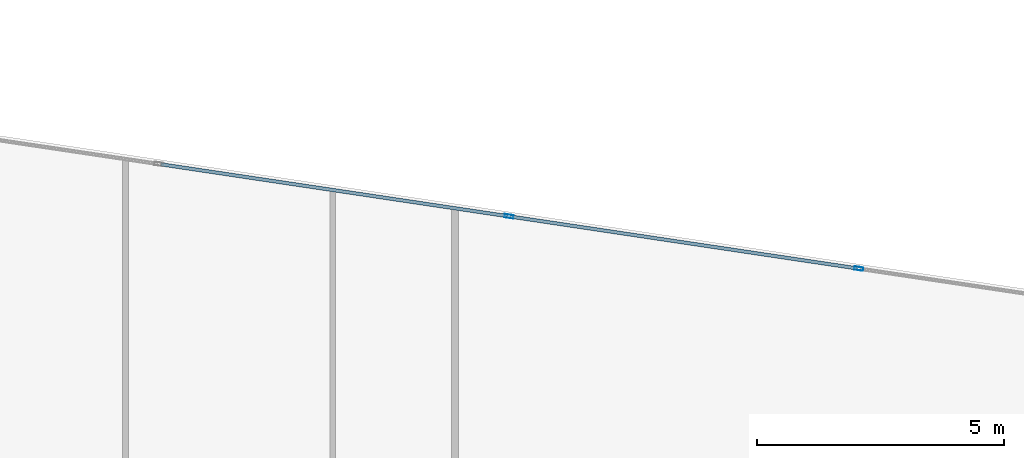
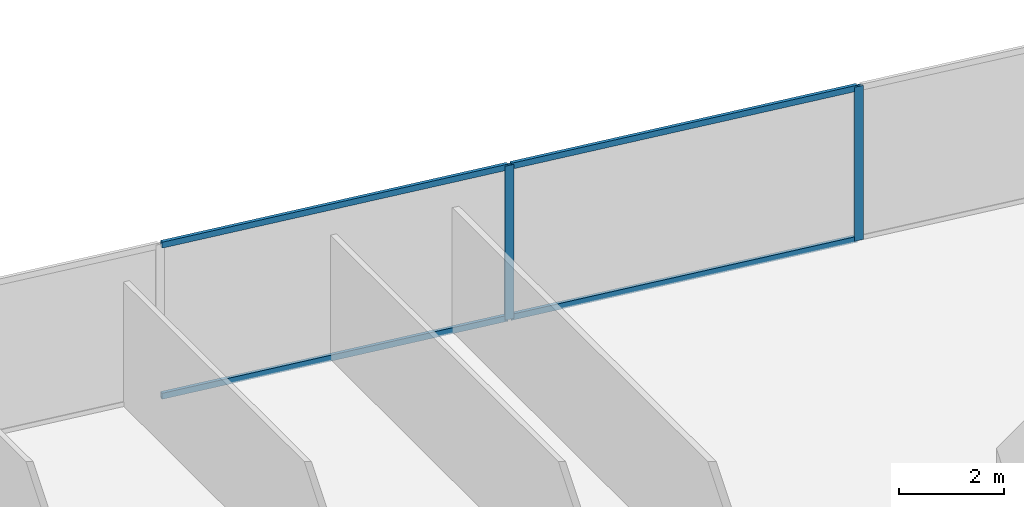
# One storey, part 22 of 29: 6 members, 1 element without a shape of its own.
"""IFC4 building model written with IfcOpenShell, lengths in metres."""

from ifc_helpers import new_model, si_unit, direction, frame, origin, origin_2d, place, context, subcontext, project, spatial, hollow_rectangle, extrude, source, transform, mapped, material, material_profile, profile_set, type_object, type_shapes, element, aggregate, save


model = new_model("IFC4")

# Units and contexts
model_context = context("Model", 3, precision=1e-05, world=origin(), true_north=direction((0.0, 1.0)))
body_context = subcontext(model_context, "Body", "Model", "MODEL_VIEW")
ifc_project = project(units=[si_unit("LENGTHUNIT", "METRE"), si_unit("AREAUNIT", "SQUARE_METRE"), si_unit("VOLUMEUNIT", "CUBIC_METRE"), si_unit("PLANEANGLEUNIT", "RADIAN"), si_unit("MASSUNIT", "GRAM", prefix="KILO")], contexts=[model_context])

# Site, building, storey
site_placement = place(None, origin())
site = spatial("IfcSite", under=ifc_project, at=site_placement, CompositionType="ELEMENT")
building_placement = place(site_placement, origin())
building = spatial("IfcBuilding", under=site, at=building_placement, Name="Krantzveldt Concourse Tower", CompositionType="ELEMENT")
storey_placement = place(building_placement, frame((0.0, 0.0, 76.35009765625)))
storey = spatial("IfcBuildingStorey", under=building, at=storey_placement, Name="L18", CompositionType="ELEMENT", Elevation=76.35009765625)

# Curtain wall, members
ifc_material = material(Name="Anodised aluminium 6063-T6", Category="aluminium")
curtain_wall_type = type_object("IfcCurtainWallType", Name="CW2", PredefinedType="USERDEFINED", material=ifc_material)
curtain_wall_placement = place(storey_placement, origin())
curtain_wall = element("IfcCurtainWall", 1, at=curtain_wall_placement, inside=storey, type_object=curtain_wall_type, Name="CW-L18-F10", ObjectType="UNITISED CURTAIN WALL", PredefinedType="USERDEFINED")
ifc_material_profile_1 = material_profile(ifc_material, hollow_rectangle(XDim=0.070068359375, YDim=0.139892578125, WallThickness=0.0048828125, at=origin_2d()), Name="Anodised aluminium 6063-T6", Category="aluminium")
ifc_profile_set_1 = profile_set([ifc_material_profile_1], Name="Anodised aluminium 6063-T6 - ALU-TRAN 140x70x5")
member_type_1 = type_object("IfcMemberType", Name="CW-TRN-150", PredefinedType="USERDEFINED", material=ifc_profile_set_1)
shared_shape_1 = source(origin(), body_context, "Body", "SweptSolid", [
    extrude(hollow_rectangle(XDim=0.070068359375, YDim=0.139892578125, WallThickness=0.0048828125, at=origin_2d()), origin(), (0.0, 0.0, 1.0), 7.0966796875),
])
type_shapes(member_type_1, [shared_shape_1])
member_1_placement = place(storey_placement, frame((53.8232421875, 49.222900390625, 0.034912109375), z_axis=(-0.989013684865, 0.147823987056, 0.0), x_axis=(-0.147823987056, -0.989013684865, 0.0)))
member_1 = element("IfcMember", 2, at=member_1_placement, type_object=member_type_1, Name="CW-Z12 transom 2.1", ObjectType="TRANSOM", PredefinedType="USERDEFINED", context=body_context, shape_type="MappedRepresentation", body=[
    mapped(shared_shape_1, transform((0.0, 0.0, 0.0), x_axis=(1.0, 0.0, 0.0), y_axis=(0.0, 1.0, 0.0), z_axis=(0.0, 0.0, 1.0), scale=1.0)),
])
member_2_placement = place(storey_placement, frame((53.8232421875, 49.222900390625, 3.554931640625), z_axis=(-0.989013684865, 0.147823987056, 0.0), x_axis=(-0.147823987056, -0.989013684865, 0.0)))
member_2 = element("IfcMember", 3, at=member_2_placement, type_object=member_type_1, Name="CW-Z12 transom 2.2", ObjectType="TRANSOM", PredefinedType="USERDEFINED", context=body_context, shape_type="MappedRepresentation", body=[
    mapped(shared_shape_1, transform((0.0, 0.0, 0.0), x_axis=(1.0, 0.0, 0.0), y_axis=(0.0, 1.0, 0.0), z_axis=(0.0, 0.0, 1.0), scale=1.0)),
])
member_3_placement = place(storey_placement, frame((46.7353515625, 50.2822265625, 0.034912109375), z_axis=(-0.989013684865, 0.147823987056, 0.0), x_axis=(-0.147823987056, -0.989013684865, 0.0)))
member_3 = element("IfcMember", 4, at=member_3_placement, type_object=member_type_1, Name="CW-Z12 transom 3.1", ObjectType="TRANSOM", PredefinedType="USERDEFINED", context=body_context, shape_type="MappedRepresentation", body=[
    mapped(shared_shape_1, transform((0.0, 0.0, 0.0), x_axis=(1.0, 0.0, 0.0), y_axis=(0.0, 1.0, 0.0), z_axis=(0.0, 0.0, 1.0), scale=1.0)),
])
member_4_placement = place(storey_placement, frame((46.7353515625, 50.2822265625, 3.554931640625), z_axis=(-0.989013684865, 0.147823987056, 0.0), x_axis=(-0.147823987056, -0.989013684865, 0.0)))
member_4 = element("IfcMember", 5, at=member_4_placement, type_object=member_type_1, Name="CW-Z12 transom 3.2", ObjectType="TRANSOM", PredefinedType="USERDEFINED", context=body_context, shape_type="MappedRepresentation", body=[
    mapped(shared_shape_1, transform((0.0, 0.0, 0.0), x_axis=(1.0, 0.0, 0.0), y_axis=(0.0, 1.0, 0.0), z_axis=(0.0, 0.0, 1.0), scale=1.0)),
])
ifc_material_profile_2 = material_profile(ifc_material, hollow_rectangle(XDim=0.070068359375, YDim=0.179931640625, WallThickness=0.0048828125, at=origin_2d()), Name="Anodised aluminium 6063-T6", Category="aluminium")
ifc_profile_set_2 = profile_set([ifc_material_profile_2], Name="Anodised aluminium 6063-T6 - ALU-MULL 180x70x5")
member_type_2 = type_object("IfcMemberType", Name="CW-MUL-180", PredefinedType="MULLION", material=ifc_profile_set_2)
shared_shape_2 = source(origin(), body_context, "Body", "SweptSolid", [
    extrude(hollow_rectangle(XDim=0.070068359375, YDim=0.179931640625, WallThickness=0.0048828125, at=origin_2d()), origin(), (0.0, 0.0, 1.0), 3.58984375),
])
type_shapes(member_type_2, [shared_shape_2])
member_5_placement = place(storey_placement, frame((53.85791015625, 49.2177734375, 0.0), z_axis=(0.0, 0.0, 1.0), x_axis=(-0.147809505412, -0.989015849271, 0.0)))
member_5 = element("IfcMember", 6, at=member_5_placement, type_object=member_type_2, Name="CW-Z12 mullion 2", PredefinedType="MULLION", context=body_context, shape_type="MappedRepresentation", body=[
    mapped(shared_shape_2, transform((0.0, 0.0, 0.0), x_axis=(1.0, 0.0, 0.0), y_axis=(0.0, 1.0, 0.0), z_axis=(0.0, 0.0, 1.0), scale=1.0)),
])
member_6_placement = place(storey_placement, frame((46.769775390625, 50.277099609375, 0.0), z_axis=(0.0, 0.0, 1.0), x_axis=(-0.147809505412, -0.989015849271, 0.0)))
member_6 = element("IfcMember", 7, at=member_6_placement, type_object=member_type_2, Name="CW-Z12 mullion 3", PredefinedType="MULLION", context=body_context, shape_type="MappedRepresentation", body=[
    mapped(shared_shape_2, transform((0.0, 0.0, 0.0), x_axis=(1.0, 0.0, 0.0), y_axis=(0.0, 1.0, 0.0), z_axis=(0.0, 0.0, 1.0), scale=1.0)),
])
aggregate(curtain_wall, [member_5, member_6, member_1, member_2, member_3, member_4])

save(model, "model.ifc")
